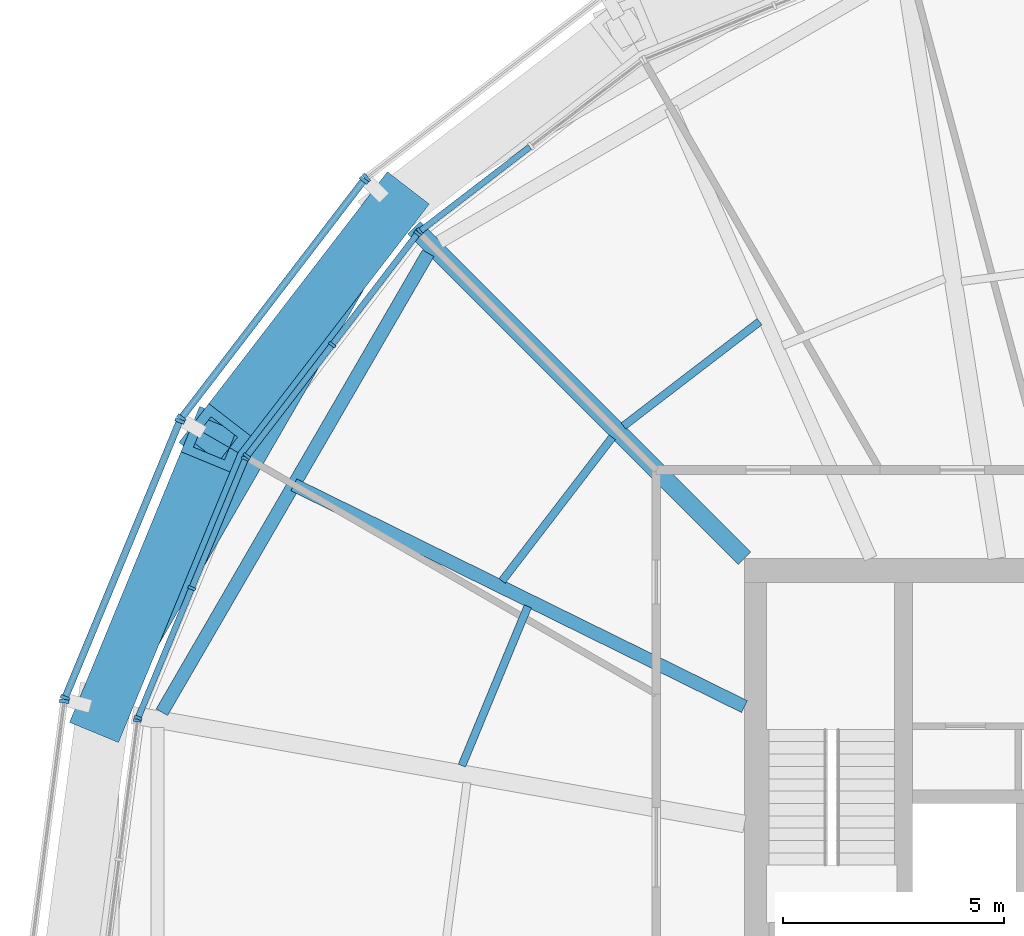
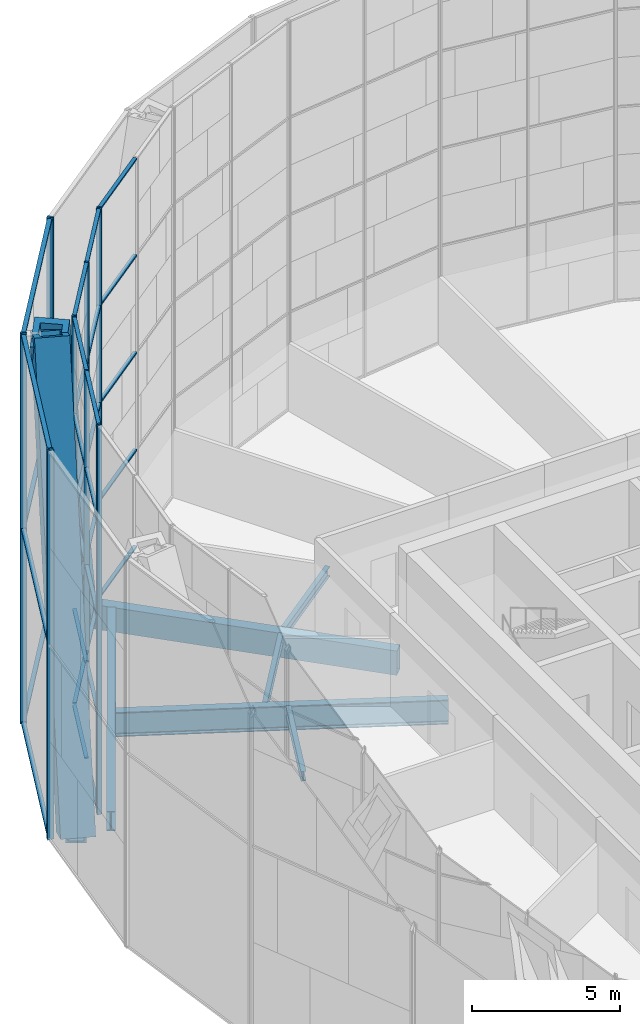
# One storey, part 8 of 30: 47 members, 7 beams, 8 elements without a shape of their own.
"""IFC4 building model written with IfcOpenShell, lengths in metres."""

from ifc_helpers import new_model, si_unit, direction, frame, origin, origin_2d, place, context, subcontext, project, spatial, rectangle, hollow_rectangle, i_section, extrude, material, material_profile, profile_set, type_object, element, aggregate, save


model = new_model("IFC4")

# Units and contexts
model_context = context("Model", 3, precision=1e-05, world=origin(), true_north=direction((0.0, 1.0)))
body_context = subcontext(model_context, "Body", "Model", "MODEL_VIEW")
ifc_project = project(units=[si_unit("LENGTHUNIT", "METRE"), si_unit("AREAUNIT", "SQUARE_METRE"), si_unit("VOLUMEUNIT", "CUBIC_METRE"), si_unit("PLANEANGLEUNIT", "RADIAN"), si_unit("MASSUNIT", "GRAM", prefix="KILO")], contexts=[model_context])

# Site, building, storey
site_placement = place(None, origin())
site = spatial("IfcSite", under=ifc_project, at=site_placement, CompositionType="ELEMENT")
building_placement = place(site_placement, origin())
building = spatial("IfcBuilding", under=site, at=building_placement, Name="Golbaran Civic Tower", CompositionType="ELEMENT")
storey_placement = place(building_placement, frame((0.0, 0.0, 102.0)))
storey = spatial("IfcBuildingStorey", under=building, at=storey_placement, Name="L24", CompositionType="ELEMENT", Elevation=102.0)

# Members
ifc_material_1 = material(Name="Steel S355", Category="steel")
ifc_material_profile_1 = material_profile(ifc_material_1, hollow_rectangle(XDim=1.199951171875, YDim=1.199951171875, WallThickness=0.219970703125, at=origin_2d()), Name="BOX 1200x1200x220")
ifc_profile_set_1 = profile_set([ifc_material_profile_1], Name="Steel S355")
member_type_1 = type_object("IfcMemberType", Name="DIAGRID DIAGONAL BOX 1200x1200x220", PredefinedType="BRACE", material=ifc_profile_set_1)
member_1_placement = place(storey_placement, frame((-17.947021484375, 17.947021484375, -0.7099609375), z_axis=(-0.233507991668, -0.303176942092, 0.923881897003), x_axis=(0.792251346595, -0.61019489003, 0.0)))
element("IfcMember", 1, at=member_1_placement, inside=storey, type_object=member_type_1, Name="Diagonal D05-04R L24-L28", PredefinedType="BRACE", context=body_context, shape_type="SweptSolid", body=[
    extrude(hollow_rectangle(XDim=1.199951171875, YDim=1.199951171875, WallThickness=0.219970703125, at=origin_2d()), origin(), (0.0, 0.0, 1.0), 17.318115234375),
])
member_2_placement = place(storey_placement, frame((-24.51611328125, 6.569091796875, -0.7099609375), z_axis=(0.145808380158, 0.353814050585, 0.923880692451), x_axis=(-0.924567435583, 0.381018447137, 0.0)))
element("IfcMember", 2, at=member_2_placement, inside=storey, type_object=member_type_1, Name="Diagonal D05-05L L24-L28", PredefinedType="BRACE", context=body_context, shape_type="SweptSolid", body=[
    extrude(hollow_rectangle(XDim=1.199951171875, YDim=1.199951171875, WallThickness=0.219970703125, at=origin_2d()), origin(), (0.0, 0.0, 1.0), 17.318359375),
])

# Beams
ifc_material_profile_2 = material_profile(ifc_material_1, hollow_rectangle(XDim=0.699951171875, YDim=0.699951171875, WallThickness=0.080078125, at=origin_2d()), Name="BOX 700x700x80")
ifc_profile_set_2 = profile_set([ifc_material_profile_2], Name="Steel S355")
beam_type_1 = type_object("IfcBeamType", Name="DIAGRID RING TIE BOX 700x700x80", PredefinedType="BEAM", material=ifc_profile_set_2)
beam_1_placement = place(storey_placement, frame((-17.947021484375, 17.947021484375, -0.7099609375), z_axis=(-0.500002342169, -0.866024051528, 0.0), x_axis=(0.866024051528, -0.500002342169, 0.0)))
element("IfcBeam", 3, at=beam_1_placement, inside=storey, type_object=beam_type_1, Name="Ring tie 135.00 L24", PredefinedType="BEAM", context=body_context, shape_type="SweptSolid", body=[
    extrude(hollow_rectangle(XDim=0.699951171875, YDim=0.699951171875, WallThickness=0.080078125, at=origin_2d()), origin(), (0.0, 0.0, 1.0), 13.13818359375),
])
ifc_material_profile_3 = material_profile(ifc_material_1, i_section(OverallWidth=0.300048828125, OverallDepth=0.800048828125, WebThickness=0.017578125, FlangeThickness=0.032958984375, FilletRadius=0.030029296875, at=origin_2d()), Name="HEB 800")
ifc_profile_set_3 = profile_set([ifc_material_profile_3], Name="Steel S355")
beam_type_2 = type_object("IfcBeamType", Name="EDGE BEAM HEB 800", PredefinedType="BEAM", material=ifc_profile_set_3)
beam_2_placement = place(storey_placement, frame((-17.161376953125, 16.906982421875, -0.60009765625), z_axis=(-0.50190998271, -0.86491986291, 0.0), x_axis=(0.86491986291, -0.50190998271, 0.0)))
element("IfcBeam", 4, at=beam_2_placement, inside=storey, type_object=beam_type_2, Name="Edge beam 135.00 L24", PredefinedType="BEAM", context=body_context, shape_type="SweptSolid", body=[
    extrude(i_section(OverallWidth=0.300048828125, OverallDepth=0.800048828125, WebThickness=0.017578125, FlangeThickness=0.032958984375, FilletRadius=0.030029296875, at=origin_2d()), origin(), (0.0, 0.0, 1.0), 12.013671875),
])
ifc_material_profile_4 = material_profile(ifc_material_1, i_section(OverallWidth=0.179931640625, OverallDepth=0.39990234375, WebThickness=0.008544921875, FlangeThickness=0.013427734375, FilletRadius=0.02099609375, at=origin_2d()), Name="IPE 400")
ifc_profile_set_4 = profile_set([ifc_material_profile_4], Name="Steel S355")
beam_type_3 = type_object("IfcBeamType", Name="FLOOR INFILL BEAM IPE 400", PredefinedType="BEAM", material=ifc_profile_set_4)
beam_3_placement = place(storey_placement, frame((-9.65966796875, 15.358154296875, -0.39990234375), z_axis=(-0.793364412918, -0.608746998609, 0.0), x_axis=(0.608746998609, -0.793364412918, 0.0)))
element("IfcBeam", 5, at=beam_3_placement, inside=storey, type_object=beam_type_3, Name="Infill beam 127.50 L24", PredefinedType="BEAM", context=body_context, shape_type="SweptSolid", body=[
    extrude(i_section(OverallWidth=0.179931640625, OverallDepth=0.39990234375, WebThickness=0.008544921875, FlangeThickness=0.013427734375, FilletRadius=0.02099609375, at=origin_2d()), origin(), (0.0, 0.0, 1.0), 3.882568359375),
])
beam_4_placement = place(storey_placement, frame((-12.993896484375, 12.739501953125, -0.39990234375), z_axis=(-0.608762972418, -0.793352155989, 0.0), x_axis=(0.793352155989, -0.608762972418, 0.0)))
element("IfcBeam", 6, at=beam_4_placement, inside=storey, type_object=beam_type_3, Name="Infill beam 142.50 L24", PredefinedType="BEAM", context=body_context, shape_type="SweptSolid", body=[
    extrude(i_section(OverallWidth=0.179931640625, OverallDepth=0.39990234375, WebThickness=0.008544921875, FlangeThickness=0.013427734375, FilletRadius=0.02099609375, at=origin_2d()), origin(), (0.0, 0.0, 1.0), 4.097412109375),
])
beam_5_placement = place(storey_placement, frame((-14.90478515625, 8.911865234375, -0.39990234375), z_axis=(-0.382690736062, -0.923876507187, 0.0), x_axis=(0.923876507187, -0.382690736062, 0.0)))
element("IfcBeam", 7, at=beam_5_placement, inside=storey, type_object=beam_type_3, Name="Infill beam 157.50 L24", PredefinedType="BEAM", context=body_context, shape_type="SweptSolid", body=[
    extrude(i_section(OverallWidth=0.179931640625, OverallDepth=0.39990234375, WebThickness=0.008544921875, FlangeThickness=0.013427734375, FilletRadius=0.02099609375, at=origin_2d()), origin(), (0.0, 0.0, 1.0), 3.90185546875),
])

# Curtain wall, member
ifc_material_2 = material(Name="Aluminium and glass", Category="aluminium")
curtain_wall_type_1 = type_object("IfcCurtainWallType", Name="INNER SKIN CURTAIN WALL", PredefinedType="NOTDEFINED", material=ifc_material_2)
curtain_wall_1_placement = place(storey_placement, origin())
curtain_wall_1 = element("IfcCurtainWall", 8, at=curtain_wall_1_placement, inside=storey, type_object=curtain_wall_type_1, Name="Inner skin L24 facet 9 CW1", ObjectType="INNER SKIN", PredefinedType="USERDEFINED")
ifc_material_3 = material(Name="Aluminium", Category="aluminium")
ifc_material_profile_5 = material_profile(ifc_material_3, rectangle(XDim=0.179931640625, YDim=0.06494140625, at=origin_2d()), Name="INNER SKIN CURTAIN WALL MULLION")
ifc_profile_set_5 = profile_set([ifc_material_profile_5], Name="Aluminium")
member_type_2 = type_object("IfcMemberType", Name="INNER SKIN CURTAIN WALL MULLION", PredefinedType="MULLION", material=ifc_profile_set_5)
member_3_placement = place(storey_placement, frame((-17.353515625, 17.399169921875, 0.0), z_axis=(0.0, 0.0, 1.0), x_axis=(0.608761428995, -0.793353340302, 0.0)))
member_3 = element("IfcMember", 9, at=member_3_placement, type_object=member_type_2, Name="CW1 mullion 3", PredefinedType="MULLION", context=body_context, shape_type="SweptSolid", body=[
    extrude(rectangle(XDim=0.179931640625, YDim=0.06494140625, at=origin_2d()), origin(), (0.0, 0.0, 1.0), 16.0),
])

# Curtain wall, members
curtain_wall_2_placement = place(storey_placement, origin())
curtain_wall_2 = element("IfcCurtainWall", 10, at=curtain_wall_2_placement, inside=storey, type_object=curtain_wall_type_1, Name="Inner skin L24 facet 10 CW1", ObjectType="INNER SKIN", PredefinedType="USERDEFINED")
member_4_placement = place(storey_placement, frame((-17.399169921875, 17.353515625, 0.0), z_axis=(0.0, 0.0, 1.0), x_axis=(0.793353340302, -0.608761428995, 0.0)))
member_4 = element("IfcMember", 11, at=member_4_placement, type_object=member_type_2, Name="CW1 mullion 1", PredefinedType="MULLION", context=body_context, shape_type="SweptSolid", body=[
    extrude(rectangle(XDim=0.179931640625, YDim=0.06494140625, at=origin_2d()), origin(), (0.0, 0.0, 1.0), 16.0),
])
member_5_placement = place(storey_placement, frame((-19.332275390625, 14.834228515625, 0.0), z_axis=(0.0, 0.0, 1.0), x_axis=(0.793353340302, -0.608761428995, 0.0)))
member_5 = element("IfcMember", 12, at=member_5_placement, type_object=member_type_2, Name="CW1 mullion 2", PredefinedType="MULLION", context=body_context, shape_type="SweptSolid", body=[
    extrude(rectangle(XDim=0.179931640625, YDim=0.06494140625, at=origin_2d()), origin(), (0.0, 0.0, 1.0), 16.0),
])
member_6_placement = place(storey_placement, frame((-21.265380859375, 12.314697265625, 0.0), z_axis=(0.0, 0.0, 1.0), x_axis=(0.793353340302, -0.608761428995, 0.0)))
member_6 = element("IfcMember", 13, at=member_6_placement, type_object=member_type_2, Name="CW1 mullion 3", PredefinedType="MULLION", context=body_context, shape_type="SweptSolid", body=[
    extrude(rectangle(XDim=0.179931640625, YDim=0.06494140625, at=origin_2d()), origin(), (0.0, 0.0, 1.0), 16.0),
])

curtain_wall_3_placement = place(storey_placement, origin())
curtain_wall_3 = element("IfcCurtainWall", 14, at=curtain_wall_3_placement, inside=storey, type_object=curtain_wall_type_1, Name="Inner skin L24 facet 11 CW1", ObjectType="INNER SKIN", PredefinedType="USERDEFINED")
member_7_placement = place(storey_placement, frame((-21.297607421875, 12.259033203125, 0.0), z_axis=(0.0, 0.0, 1.0), x_axis=(0.923879532465, -0.382683432478, 0.0)))
member_7 = element("IfcMember", 15, at=member_7_placement, type_object=member_type_2, Name="CW1 mullion 1", PredefinedType="MULLION", context=body_context, shape_type="SweptSolid", body=[
    extrude(rectangle(XDim=0.179931640625, YDim=0.06494140625, at=origin_2d()), origin(), (0.0, 0.0, 1.0), 16.0),
])
member_8_placement = place(storey_placement, frame((-22.512939453125, 9.3251953125, 0.0), z_axis=(0.0, 0.0, 1.0), x_axis=(0.923879532465, -0.382683432478, 0.0)))
member_8 = element("IfcMember", 16, at=member_8_placement, type_object=member_type_2, Name="CW1 mullion 2", PredefinedType="MULLION", context=body_context, shape_type="SweptSolid", body=[
    extrude(rectangle(XDim=0.179931640625, YDim=0.06494140625, at=origin_2d()), origin(), (0.0, 0.0, 1.0), 16.0),
])
member_9_placement = place(storey_placement, frame((-23.72802734375, 6.391357421875, 0.0), z_axis=(0.0, 0.0, 1.0), x_axis=(0.923879532465, -0.382683432478, 0.0)))
member_9 = element("IfcMember", 17, at=member_9_placement, type_object=member_type_2, Name="CW1 mullion 3", PredefinedType="MULLION", context=body_context, shape_type="SweptSolid", body=[
    extrude(rectangle(XDim=0.179931640625, YDim=0.06494140625, at=origin_2d()), origin(), (0.0, 0.0, 1.0), 16.0),
])

# Curtain wall, member
curtain_wall_4_placement = place(storey_placement, origin())
curtain_wall_4 = element("IfcCurtainWall", 18, at=curtain_wall_4_placement, inside=storey, type_object=curtain_wall_type_1, Name="Inner skin L24 facet 12 CW1", ObjectType="INNER SKIN", PredefinedType="USERDEFINED")
member_10_placement = place(storey_placement, frame((-23.744873046875, 6.3291015625, 0.0), z_axis=(0.0, 0.0, 1.0), x_axis=(0.991444861385, -0.130526192134, 0.0)))
member_10 = element("IfcMember", 19, at=member_10_placement, type_object=member_type_2, Name="CW1 mullion 1", PredefinedType="MULLION", context=body_context, shape_type="SweptSolid", body=[
    extrude(rectangle(XDim=0.179931640625, YDim=0.06494140625, at=origin_2d()), origin(), (0.0, 0.0, 1.0), 16.0),
])
aggregate(curtain_wall_4, [member_10])

# Member
ifc_material_profile_6 = material_profile(ifc_material_3, rectangle(XDim=0.139892578125, YDim=0.06494140625, at=origin_2d()), Name="INNER SKIN CURTAIN WALL TRANSOM")
ifc_profile_set_6 = profile_set([ifc_material_profile_6], Name="Aluminium")
member_type_3 = type_object("IfcMemberType", Name="INNER SKIN CURTAIN WALL TRANSOM", PredefinedType="USERDEFINED", material=ifc_profile_set_6)
member_11_placement = place(storey_placement, frame((-14.85986328125, 19.3125, 0.032470703125), z_axis=(-0.793358692504, -0.608754453805, 0.0), x_axis=(0.608754453805, -0.793358692504, 0.0)))
member_11 = element("IfcMember", 20, at=member_11_placement, type_object=member_type_3, Name="CW1 transom 2.1", ObjectType="TRANSOM", PredefinedType="USERDEFINED", context=body_context, shape_type="SweptSolid", body=[
    extrude(rectangle(XDim=0.139892578125, YDim=0.06494140625, at=origin_2d()), origin(), (0.0, 0.0, 1.0), 3.110595703125),
])

member_12_placement = place(storey_placement, frame((-14.85986328125, 19.3125, 4.0), z_axis=(-0.793358692504, -0.608754453805, 0.0), x_axis=(0.608754453805, -0.793358692504, 0.0)))
member_12 = element("IfcMember", 21, at=member_12_placement, type_object=member_type_3, Name="CW1 transom 2.2", ObjectType="TRANSOM", PredefinedType="USERDEFINED", context=body_context, shape_type="SweptSolid", body=[
    extrude(rectangle(XDim=0.139892578125, YDim=0.06494140625, at=origin_2d()), origin(), (0.0, 0.0, 1.0), 3.110595703125),
])

member_13_placement = place(storey_placement, frame((-14.85986328125, 19.3125, 8.0), z_axis=(-0.793358692504, -0.608754453805, 0.0), x_axis=(0.608754453805, -0.793358692504, 0.0)))
member_13 = element("IfcMember", 22, at=member_13_placement, type_object=member_type_3, Name="CW1 transom 2.3", ObjectType="TRANSOM", PredefinedType="USERDEFINED", context=body_context, shape_type="SweptSolid", body=[
    extrude(rectangle(XDim=0.139892578125, YDim=0.06494140625, at=origin_2d()), origin(), (0.0, 0.0, 1.0), 3.110595703125),
])

member_14_placement = place(storey_placement, frame((-14.85986328125, 19.3125, 12.0), z_axis=(-0.793358692504, -0.608754453805, 0.0), x_axis=(0.608754453805, -0.793358692504, 0.0)))
member_14 = element("IfcMember", 23, at=member_14_placement, type_object=member_type_3, Name="CW1 transom 2.4", ObjectType="TRANSOM", PredefinedType="USERDEFINED", context=body_context, shape_type="SweptSolid", body=[
    extrude(rectangle(XDim=0.139892578125, YDim=0.06494140625, at=origin_2d()), origin(), (0.0, 0.0, 1.0), 3.110595703125),
])

member_15_placement = place(storey_placement, frame((-14.85986328125, 19.3125, 15.967529296875), z_axis=(-0.793358692504, -0.608754453805, 0.0), x_axis=(0.608754453805, -0.793358692504, 0.0)))
member_15 = element("IfcMember", 24, at=member_15_placement, type_object=member_type_3, Name="CW1 transom 2.5", ObjectType="TRANSOM", PredefinedType="USERDEFINED", context=body_context, shape_type="SweptSolid", body=[
    extrude(rectangle(XDim=0.139892578125, YDim=0.06494140625, at=origin_2d()), origin(), (0.0, 0.0, 1.0), 3.110595703125),
])

aggregate(curtain_wall_1, [member_3, member_11, member_12, member_13, member_14, member_15])

member_16_placement = place(storey_placement, frame((-17.4189453125, 17.32763671875, 0.032470703125), z_axis=(-0.608754453805, -0.793358692504, 0.0), x_axis=(0.793358692504, -0.608754453805, 0.0)))
member_16 = element("IfcMember", 25, at=member_16_placement, type_object=member_type_3, Name="CW1 transom 1.1", ObjectType="TRANSOM", PredefinedType="USERDEFINED", context=body_context, shape_type="SweptSolid", body=[
    extrude(rectangle(XDim=0.139892578125, YDim=0.06494140625, at=origin_2d()), origin(), (0.0, 0.0, 1.0), 3.110595703125),
])

member_17_placement = place(storey_placement, frame((-17.4189453125, 17.32763671875, 4.0), z_axis=(-0.608754453805, -0.793358692504, 0.0), x_axis=(0.793358692504, -0.608754453805, 0.0)))
member_17 = element("IfcMember", 26, at=member_17_placement, type_object=member_type_3, Name="CW1 transom 1.2", ObjectType="TRANSOM", PredefinedType="USERDEFINED", context=body_context, shape_type="SweptSolid", body=[
    extrude(rectangle(XDim=0.139892578125, YDim=0.06494140625, at=origin_2d()), origin(), (0.0, 0.0, 1.0), 3.110595703125),
])

member_18_placement = place(storey_placement, frame((-17.4189453125, 17.32763671875, 8.0), z_axis=(-0.608754453805, -0.793358692504, 0.0), x_axis=(0.793358692504, -0.608754453805, 0.0)))
member_18 = element("IfcMember", 27, at=member_18_placement, type_object=member_type_3, Name="CW1 transom 1.3", ObjectType="TRANSOM", PredefinedType="USERDEFINED", context=body_context, shape_type="SweptSolid", body=[
    extrude(rectangle(XDim=0.139892578125, YDim=0.06494140625, at=origin_2d()), origin(), (0.0, 0.0, 1.0), 3.110595703125),
])

member_19_placement = place(storey_placement, frame((-17.4189453125, 17.32763671875, 12.0), z_axis=(-0.608754453805, -0.793358692504, 0.0), x_axis=(0.793358692504, -0.608754453805, 0.0)))
member_19 = element("IfcMember", 28, at=member_19_placement, type_object=member_type_3, Name="CW1 transom 1.4", ObjectType="TRANSOM", PredefinedType="USERDEFINED", context=body_context, shape_type="SweptSolid", body=[
    extrude(rectangle(XDim=0.139892578125, YDim=0.06494140625, at=origin_2d()), origin(), (0.0, 0.0, 1.0), 3.110595703125),
])

member_20_placement = place(storey_placement, frame((-17.4189453125, 17.32763671875, 15.967529296875), z_axis=(-0.608754453805, -0.793358692504, 0.0), x_axis=(0.793358692504, -0.608754453805, 0.0)))
member_20 = element("IfcMember", 29, at=member_20_placement, type_object=member_type_3, Name="CW1 transom 1.5", ObjectType="TRANSOM", PredefinedType="USERDEFINED", context=body_context, shape_type="SweptSolid", body=[
    extrude(rectangle(XDim=0.139892578125, YDim=0.06494140625, at=origin_2d()), origin(), (0.0, 0.0, 1.0), 3.110595703125),
])

member_21_placement = place(storey_placement, frame((-19.35205078125, 14.808349609375, 0.032470703125), z_axis=(-0.608754453805, -0.793358692504, 0.0), x_axis=(0.793358692504, -0.608754453805, 0.0)))
member_21 = element("IfcMember", 30, at=member_21_placement, type_object=member_type_3, Name="CW1 transom 2.1", ObjectType="TRANSOM", PredefinedType="USERDEFINED", context=body_context, shape_type="SweptSolid", body=[
    extrude(rectangle(XDim=0.139892578125, YDim=0.06494140625, at=origin_2d()), origin(), (0.0, 0.0, 1.0), 3.110595703125),
])

member_22_placement = place(storey_placement, frame((-19.35205078125, 14.808349609375, 4.0), z_axis=(-0.608754453805, -0.793358692504, 0.0), x_axis=(0.793358692504, -0.608754453805, 0.0)))
member_22 = element("IfcMember", 31, at=member_22_placement, type_object=member_type_3, Name="CW1 transom 2.2", ObjectType="TRANSOM", PredefinedType="USERDEFINED", context=body_context, shape_type="SweptSolid", body=[
    extrude(rectangle(XDim=0.139892578125, YDim=0.06494140625, at=origin_2d()), origin(), (0.0, 0.0, 1.0), 3.110595703125),
])

member_23_placement = place(storey_placement, frame((-19.35205078125, 14.808349609375, 8.0), z_axis=(-0.608754453805, -0.793358692504, 0.0), x_axis=(0.793358692504, -0.608754453805, 0.0)))
member_23 = element("IfcMember", 32, at=member_23_placement, type_object=member_type_3, Name="CW1 transom 2.3", ObjectType="TRANSOM", PredefinedType="USERDEFINED", context=body_context, shape_type="SweptSolid", body=[
    extrude(rectangle(XDim=0.139892578125, YDim=0.06494140625, at=origin_2d()), origin(), (0.0, 0.0, 1.0), 3.110595703125),
])

member_24_placement = place(storey_placement, frame((-19.35205078125, 14.808349609375, 12.0), z_axis=(-0.608754453805, -0.793358692504, 0.0), x_axis=(0.793358692504, -0.608754453805, 0.0)))
member_24 = element("IfcMember", 33, at=member_24_placement, type_object=member_type_3, Name="CW1 transom 2.4", ObjectType="TRANSOM", PredefinedType="USERDEFINED", context=body_context, shape_type="SweptSolid", body=[
    extrude(rectangle(XDim=0.139892578125, YDim=0.06494140625, at=origin_2d()), origin(), (0.0, 0.0, 1.0), 3.110595703125),
])

member_25_placement = place(storey_placement, frame((-19.35205078125, 14.808349609375, 15.967529296875), z_axis=(-0.608754453805, -0.793358692504, 0.0), x_axis=(0.793358692504, -0.608754453805, 0.0)))
member_25 = element("IfcMember", 34, at=member_25_placement, type_object=member_type_3, Name="CW1 transom 2.5", ObjectType="TRANSOM", PredefinedType="USERDEFINED", context=body_context, shape_type="SweptSolid", body=[
    extrude(rectangle(XDim=0.139892578125, YDim=0.06494140625, at=origin_2d()), origin(), (0.0, 0.0, 1.0), 3.110595703125),
])

aggregate(curtain_wall_2, [member_4, member_5, member_6, member_16, member_17, member_18, member_19, member_20, member_21, member_22, member_23, member_24, member_25])

member_26_placement = place(storey_placement, frame((-21.31005859375, 12.22900390625, 0.032470703125), z_axis=(-0.382703004748, -0.923871425122, 0.0), x_axis=(0.923871425122, -0.382703004748, 0.0)))
member_26 = element("IfcMember", 35, at=member_26_placement, type_object=member_type_3, Name="CW1 transom 1.1", ObjectType="TRANSOM", PredefinedType="USERDEFINED", context=body_context, shape_type="SweptSolid", body=[
    extrude(rectangle(XDim=0.139892578125, YDim=0.06494140625, at=origin_2d()), origin(), (0.0, 0.0, 1.0), 3.110595703125),
])

member_27_placement = place(storey_placement, frame((-21.31005859375, 12.22900390625, 4.0), z_axis=(-0.382703004748, -0.923871425122, 0.0), x_axis=(0.923871425122, -0.382703004748, 0.0)))
member_27 = element("IfcMember", 36, at=member_27_placement, type_object=member_type_3, Name="CW1 transom 1.2", ObjectType="TRANSOM", PredefinedType="USERDEFINED", context=body_context, shape_type="SweptSolid", body=[
    extrude(rectangle(XDim=0.139892578125, YDim=0.06494140625, at=origin_2d()), origin(), (0.0, 0.0, 1.0), 3.110595703125),
])

member_28_placement = place(storey_placement, frame((-21.31005859375, 12.22900390625, 8.0), z_axis=(-0.382703004748, -0.923871425122, 0.0), x_axis=(0.923871425122, -0.382703004748, 0.0)))
member_28 = element("IfcMember", 37, at=member_28_placement, type_object=member_type_3, Name="CW1 transom 1.3", ObjectType="TRANSOM", PredefinedType="USERDEFINED", context=body_context, shape_type="SweptSolid", body=[
    extrude(rectangle(XDim=0.139892578125, YDim=0.06494140625, at=origin_2d()), origin(), (0.0, 0.0, 1.0), 3.110595703125),
])

member_29_placement = place(storey_placement, frame((-21.31005859375, 12.22900390625, 12.0), z_axis=(-0.382703004748, -0.923871425122, 0.0), x_axis=(0.923871425122, -0.382703004748, 0.0)))
member_29 = element("IfcMember", 38, at=member_29_placement, type_object=member_type_3, Name="CW1 transom 1.4", ObjectType="TRANSOM", PredefinedType="USERDEFINED", context=body_context, shape_type="SweptSolid", body=[
    extrude(rectangle(XDim=0.139892578125, YDim=0.06494140625, at=origin_2d()), origin(), (0.0, 0.0, 1.0), 3.110595703125),
])

member_30_placement = place(storey_placement, frame((-21.31005859375, 12.22900390625, 15.967529296875), z_axis=(-0.382703004748, -0.923871425122, 0.0), x_axis=(0.923871425122, -0.382703004748, 0.0)))
member_30 = element("IfcMember", 39, at=member_30_placement, type_object=member_type_3, Name="CW1 transom 1.5", ObjectType="TRANSOM", PredefinedType="USERDEFINED", context=body_context, shape_type="SweptSolid", body=[
    extrude(rectangle(XDim=0.139892578125, YDim=0.06494140625, at=origin_2d()), origin(), (0.0, 0.0, 1.0), 3.110595703125),
])

member_31_placement = place(storey_placement, frame((-22.525390625, 9.295166015625, 0.032470703125), z_axis=(-0.382636009992, -0.923899174075, 0.0), x_axis=(0.923899174075, -0.382636009992, 0.0)))
member_31 = element("IfcMember", 40, at=member_31_placement, type_object=member_type_3, Name="CW1 transom 2.1", ObjectType="TRANSOM", PredefinedType="USERDEFINED", context=body_context, shape_type="SweptSolid", body=[
    extrude(rectangle(XDim=0.139892578125, YDim=0.06494140625, at=origin_2d()), origin(), (0.0, 0.0, 1.0), 3.110595703125),
])

member_32_placement = place(storey_placement, frame((-22.525390625, 9.295166015625, 4.0), z_axis=(-0.382636009992, -0.923899174075, 0.0), x_axis=(0.923899174075, -0.382636009992, 0.0)))
member_32 = element("IfcMember", 41, at=member_32_placement, type_object=member_type_3, Name="CW1 transom 2.2", ObjectType="TRANSOM", PredefinedType="USERDEFINED", context=body_context, shape_type="SweptSolid", body=[
    extrude(rectangle(XDim=0.139892578125, YDim=0.06494140625, at=origin_2d()), origin(), (0.0, 0.0, 1.0), 3.110595703125),
])

member_33_placement = place(storey_placement, frame((-22.525390625, 9.295166015625, 8.0), z_axis=(-0.382636009992, -0.923899174075, 0.0), x_axis=(0.923899174075, -0.382636009992, 0.0)))
member_33 = element("IfcMember", 42, at=member_33_placement, type_object=member_type_3, Name="CW1 transom 2.3", ObjectType="TRANSOM", PredefinedType="USERDEFINED", context=body_context, shape_type="SweptSolid", body=[
    extrude(rectangle(XDim=0.139892578125, YDim=0.06494140625, at=origin_2d()), origin(), (0.0, 0.0, 1.0), 3.110595703125),
])

member_34_placement = place(storey_placement, frame((-22.525390625, 9.295166015625, 12.0), z_axis=(-0.382636009992, -0.923899174075, 0.0), x_axis=(0.923899174075, -0.382636009992, 0.0)))
member_34 = element("IfcMember", 43, at=member_34_placement, type_object=member_type_3, Name="CW1 transom 2.4", ObjectType="TRANSOM", PredefinedType="USERDEFINED", context=body_context, shape_type="SweptSolid", body=[
    extrude(rectangle(XDim=0.139892578125, YDim=0.06494140625, at=origin_2d()), origin(), (0.0, 0.0, 1.0), 3.110595703125),
])

member_35_placement = place(storey_placement, frame((-22.525390625, 9.295166015625, 15.967529296875), z_axis=(-0.382636009992, -0.923899174075, 0.0), x_axis=(0.923899174075, -0.382636009992, 0.0)))
member_35 = element("IfcMember", 44, at=member_35_placement, type_object=member_type_3, Name="CW1 transom 2.5", ObjectType="TRANSOM", PredefinedType="USERDEFINED", context=body_context, shape_type="SweptSolid", body=[
    extrude(rectangle(XDim=0.139892578125, YDim=0.06494140625, at=origin_2d()), origin(), (0.0, 0.0, 1.0), 3.110595703125),
])

aggregate(curtain_wall_3, [member_7, member_8, member_9, member_26, member_27, member_28, member_29, member_30, member_31, member_32, member_33, member_34, member_35])

# Curtain wall, member
curtain_wall_type_2 = type_object("IfcCurtainWallType", Name="OUTER SKIN TERRACOTTA SCREEN", PredefinedType="NOTDEFINED", material=ifc_material_2)
curtain_wall_5_placement = place(storey_placement, origin())
curtain_wall_5 = element("IfcCurtainWall", 45, at=curtain_wall_5_placement, inside=storey, type_object=curtain_wall_type_2, Name="Outer skin L24 facet 9 CW3", ObjectType="OUTER SKIN", PredefinedType="USERDEFINED")
ifc_material_profile_7 = material_profile(ifc_material_3, rectangle(XDim=0.219970703125, YDim=0.080078125, at=origin_2d()), Name="OUTER SKIN TERRACOTTA SCREEN MULLION")
ifc_profile_set_7 = profile_set([ifc_material_profile_7], Name="Aluminium")
member_type_4 = type_object("IfcMemberType", Name="OUTER SKIN TERRACOTTA SCREEN MULLION", PredefinedType="MULLION", material=ifc_profile_set_7)
member_36_placement = place(storey_placement, frame((-18.560302734375, 18.6162109375, -0.7099609375), z_axis=(0.0, 0.0, 1.0), x_axis=(0.608761428995, -0.793353340302, 0.0)))
member_36 = element("IfcMember", 46, at=member_36_placement, type_object=member_type_4, Name="CW3 mullion 2", PredefinedType="MULLION", context=body_context, shape_type="SweptSolid", body=[
    extrude(rectangle(XDim=0.219970703125, YDim=0.080078125, at=origin_2d()), origin(), (0.0, 0.0, 1.0), 16.0),
])
aggregate(curtain_wall_5, [member_36])

# Curtain wall, members
curtain_wall_6_placement = place(storey_placement, origin())
curtain_wall_6 = element("IfcCurtainWall", 47, at=curtain_wall_6_placement, inside=storey, type_object=curtain_wall_type_2, Name="Outer skin L24 facet 10 CW3", ObjectType="OUTER SKIN", PredefinedType="USERDEFINED")
member_37_placement = place(storey_placement, frame((-18.6162109375, 18.560302734375, -0.7099609375), z_axis=(0.0, 0.0, 1.0), x_axis=(0.793353340302, -0.608761428995, 0.0)))
member_37 = element("IfcMember", 48, at=member_37_placement, type_object=member_type_4, Name="CW3 mullion 1", PredefinedType="MULLION", context=body_context, shape_type="SweptSolid", body=[
    extrude(rectangle(XDim=0.219970703125, YDim=0.080078125, at=origin_2d()), origin(), (0.0, 0.0, 1.0), 16.0),
])
member_38_placement = place(storey_placement, frame((-22.74609375, 13.17822265625, -0.7099609375), z_axis=(0.0, 0.0, 1.0), x_axis=(0.793353340302, -0.608761428995, 0.0)))
member_38 = element("IfcMember", 49, at=member_38_placement, type_object=member_type_4, Name="CW3 mullion 2", PredefinedType="MULLION", context=body_context, shape_type="SweptSolid", body=[
    extrude(rectangle(XDim=0.219970703125, YDim=0.080078125, at=origin_2d()), origin(), (0.0, 0.0, 1.0), 16.0),
])

curtain_wall_7_placement = place(storey_placement, origin())
curtain_wall_7 = element("IfcCurtainWall", 50, at=curtain_wall_7_placement, inside=storey, type_object=curtain_wall_type_2, Name="Outer skin L24 facet 11 CW3", ObjectType="OUTER SKIN", PredefinedType="USERDEFINED")
member_39_placement = place(storey_placement, frame((-22.78564453125, 13.109619140625, -0.7099609375), z_axis=(0.0, 0.0, 1.0), x_axis=(0.923879532505, -0.382683432381, 0.0)))
member_39 = element("IfcMember", 51, at=member_39_placement, type_object=member_type_4, Name="CW3 mullion 1", PredefinedType="MULLION", context=body_context, shape_type="SweptSolid", body=[
    extrude(rectangle(XDim=0.219970703125, YDim=0.080078125, at=origin_2d()), origin(), (0.0, 0.0, 1.0), 16.0),
])
member_40_placement = place(storey_placement, frame((-25.3818359375, 6.842041015625, -0.7099609375), z_axis=(0.0, 0.0, 1.0), x_axis=(0.923879532505, -0.382683432381, 0.0)))
member_40 = element("IfcMember", 52, at=member_40_placement, type_object=member_type_4, Name="CW3 mullion 2", PredefinedType="MULLION", context=body_context, shape_type="SweptSolid", body=[
    extrude(rectangle(XDim=0.219970703125, YDim=0.080078125, at=origin_2d()), origin(), (0.0, 0.0, 1.0), 16.0),
])

# Curtain wall, member
curtain_wall_8_placement = place(storey_placement, origin())
curtain_wall_8 = element("IfcCurtainWall", 53, at=curtain_wall_8_placement, inside=storey, type_object=curtain_wall_type_2, Name="Outer skin L24 facet 12 CW3", ObjectType="OUTER SKIN", PredefinedType="USERDEFINED")
member_41_placement = place(storey_placement, frame((-25.40234375, 6.765380859375, -0.7099609375), z_axis=(0.0, 0.0, 1.0), x_axis=(0.991444861381, -0.130526192168, 0.0)))
member_41 = element("IfcMember", 54, at=member_41_placement, type_object=member_type_4, Name="CW3 mullion 1", PredefinedType="MULLION", context=body_context, shape_type="SweptSolid", body=[
    extrude(rectangle(XDim=0.219970703125, YDim=0.080078125, at=origin_2d()), origin(), (0.0, 0.0, 1.0), 16.0),
])
aggregate(curtain_wall_8, [member_41])

# Member
ifc_material_profile_8 = material_profile(ifc_material_3, rectangle(XDim=0.159912109375, YDim=0.080078125, at=origin_2d()), Name="OUTER SKIN TERRACOTTA SCREEN TRANSOM")
ifc_profile_set_8 = profile_set([ifc_material_profile_8], Name="Aluminium")
member_type_5 = type_object("IfcMemberType", Name="OUTER SKIN TERRACOTTA SCREEN TRANSOM", PredefinedType="USERDEFINED", material=ifc_profile_set_8)
member_42_placement = place(storey_placement, frame((-18.640625, 18.528564453125, -0.669921875), z_axis=(-0.608756422165, -0.793357182153, 0.0), x_axis=(0.793357182153, -0.608756422165, 0.0)))
member_42 = element("IfcMember", 55, at=member_42_placement, type_object=member_type_5, Name="CW3 transom 1.1", ObjectType="TRANSOM", PredefinedType="USERDEFINED", context=body_context, shape_type="SweptSolid", body=[
    extrude(rectangle(XDim=0.159912109375, YDim=0.080078125, at=origin_2d()), origin(), (0.0, 0.0, 1.0), 6.703857421875),
])

member_43_placement = place(storey_placement, frame((-18.640625, 18.528564453125, 7.2900390625), z_axis=(-0.608756422165, -0.793357182153, 0.0), x_axis=(0.793357182153, -0.608756422165, 0.0)))
member_43 = element("IfcMember", 56, at=member_43_placement, type_object=member_type_5, Name="CW3 transom 1.2", ObjectType="TRANSOM", PredefinedType="USERDEFINED", context=body_context, shape_type="SweptSolid", body=[
    extrude(rectangle(XDim=0.159912109375, YDim=0.080078125, at=origin_2d()), origin(), (0.0, 0.0, 1.0), 6.703857421875),
])

member_44_placement = place(storey_placement, frame((-18.640625, 18.528564453125, 15.25), z_axis=(-0.608756422165, -0.793357182153, 0.0), x_axis=(0.793357182153, -0.608756422165, 0.0)))
member_44 = element("IfcMember", 57, at=member_44_placement, type_object=member_type_5, Name="CW3 transom 1.3", ObjectType="TRANSOM", PredefinedType="USERDEFINED", context=body_context, shape_type="SweptSolid", body=[
    extrude(rectangle(XDim=0.159912109375, YDim=0.080078125, at=origin_2d()), origin(), (0.0, 0.0, 1.0), 6.703857421875),
])

aggregate(curtain_wall_6, [member_37, member_38, member_42, member_43, member_44])

member_45_placement = place(storey_placement, frame((-22.801025390625, 13.072509765625, -0.669921875), z_axis=(-0.382690592899, -0.923876566489, 0.0), x_axis=(0.923876566489, -0.382690592899, 0.0)))
member_45 = element("IfcMember", 58, at=member_45_placement, type_object=member_type_5, Name="CW3 transom 1.1", ObjectType="TRANSOM", PredefinedType="USERDEFINED", context=body_context, shape_type="SweptSolid", body=[
    extrude(rectangle(XDim=0.159912109375, YDim=0.080078125, at=origin_2d()), origin(), (0.0, 0.0, 1.0), 6.70361328125),
])

member_46_placement = place(storey_placement, frame((-22.801025390625, 13.072509765625, 7.2900390625), z_axis=(-0.382690592899, -0.923876566489, 0.0), x_axis=(0.923876566489, -0.382690592899, 0.0)))
member_46 = element("IfcMember", 59, at=member_46_placement, type_object=member_type_5, Name="CW3 transom 1.2", ObjectType="TRANSOM", PredefinedType="USERDEFINED", context=body_context, shape_type="SweptSolid", body=[
    extrude(rectangle(XDim=0.159912109375, YDim=0.080078125, at=origin_2d()), origin(), (0.0, 0.0, 1.0), 6.70361328125),
])

member_47_placement = place(storey_placement, frame((-22.801025390625, 13.072509765625, 15.25), z_axis=(-0.382690592899, -0.923876566489, 0.0), x_axis=(0.923876566489, -0.382690592899, 0.0)))
member_47 = element("IfcMember", 60, at=member_47_placement, type_object=member_type_5, Name="CW3 transom 1.3", ObjectType="TRANSOM", PredefinedType="USERDEFINED", context=body_context, shape_type="SweptSolid", body=[
    extrude(rectangle(XDim=0.159912109375, YDim=0.080078125, at=origin_2d()), origin(), (0.0, 0.0, 1.0), 6.70361328125),
])

aggregate(curtain_wall_7, [member_39, member_40, member_45, member_46, member_47])

# Beams
ifc_material_profile_9 = material_profile(ifc_material_1, hollow_rectangle(XDim=0.39990234375, YDim=1.0, WallThickness=0.0400390625, at=origin_2d()), Name="BOX 1000x400x40")
ifc_profile_set_9 = profile_set([ifc_material_profile_9], Name="Steel S355")
beam_type_4 = type_object("IfcBeamType", Name="RADIAL FLOOR BEAM BOX 1000x400x40", PredefinedType="BEAM", material=ifc_profile_set_9)
beam_6_placement = place(storey_placement, frame((-10.0, 10.0, -0.7099609375), z_axis=(-0.707106781187, 0.707106781187, 0.0), x_axis=(-0.707106781187, -0.707106781187, 0.0)))
element("IfcBeam", 61, at=beam_6_placement, inside=storey, type_object=beam_type_4, Name="Radial beam 135.00 L24", PredefinedType="BEAM", context=body_context, shape_type="SweptSolid", body=[
    extrude(hollow_rectangle(XDim=0.39990234375, YDim=1.0, WallThickness=0.0400390625, at=origin_2d()), origin(), (0.0, 0.0, 1.0), 10.580810546875),
])
ifc_material_profile_10 = material_profile(ifc_material_1, i_section(OverallWidth=0.300048828125, OverallDepth=1.0, WebThickness=0.01904296875, FlangeThickness=0.035888671875, FilletRadius=0.030029296875, at=origin_2d()), Name="HEB 1000")
ifc_profile_set_10 = profile_set([ifc_material_profile_10], Name="Steel S355")
beam_type_5 = type_object("IfcBeamType", Name="SECONDARY FLOOR BEAM HEB 1000", PredefinedType="BEAM", material=ifc_profile_set_10)
beam_7_placement = place(storey_placement, frame((-10.0, 6.642822265625, -0.7099609375), z_axis=(-0.897226029709, 0.441571570204, 0.0), x_axis=(-0.441571570204, -0.897226029709, 0.0)))
element("IfcBeam", 62, at=beam_7_placement, inside=storey, type_object=beam_type_5, Name="Secondary beam 150.00 L24", PredefinedType="BEAM", context=body_context, shape_type="SweptSolid", body=[
    extrude(i_section(OverallWidth=0.300048828125, OverallDepth=1.0, WebThickness=0.01904296875, FlangeThickness=0.035888671875, FilletRadius=0.030029296875, at=origin_2d()), origin(), (0.0, 0.0, 1.0), 11.372314453125),
])

save(model, "model.ifc")
